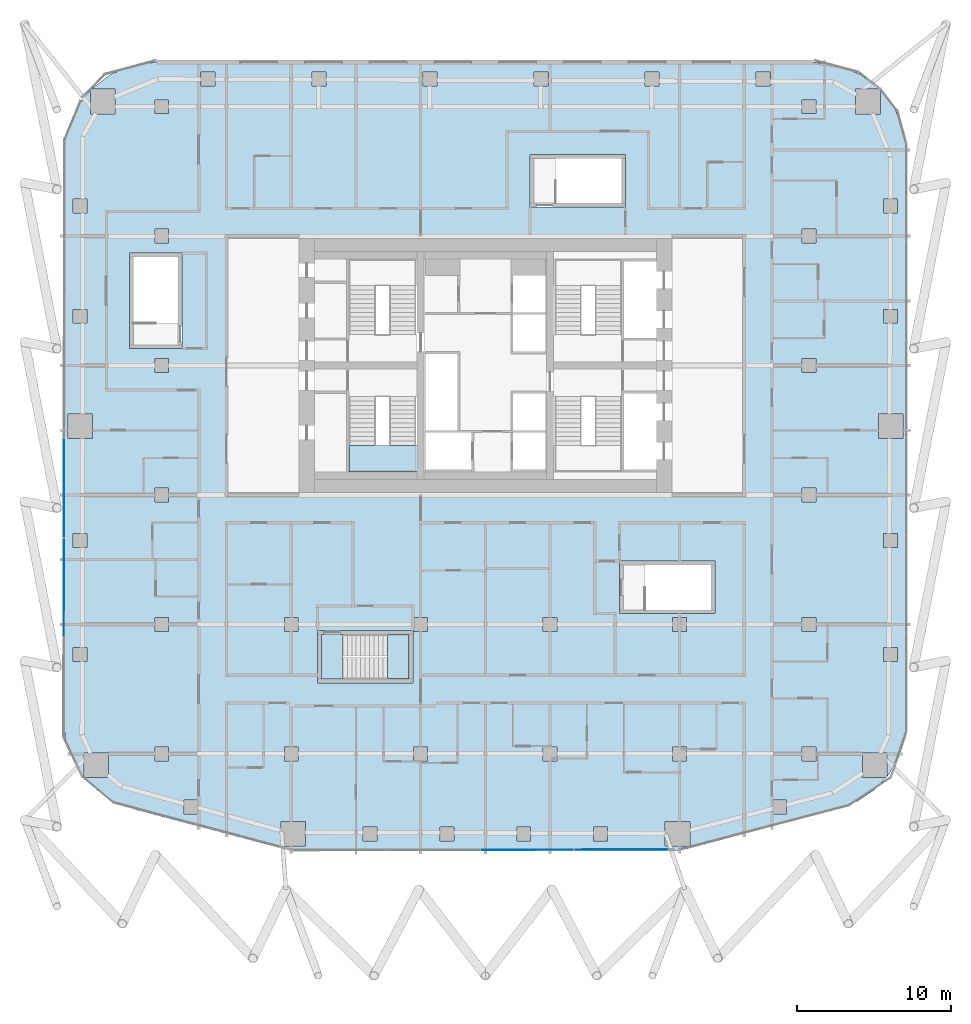
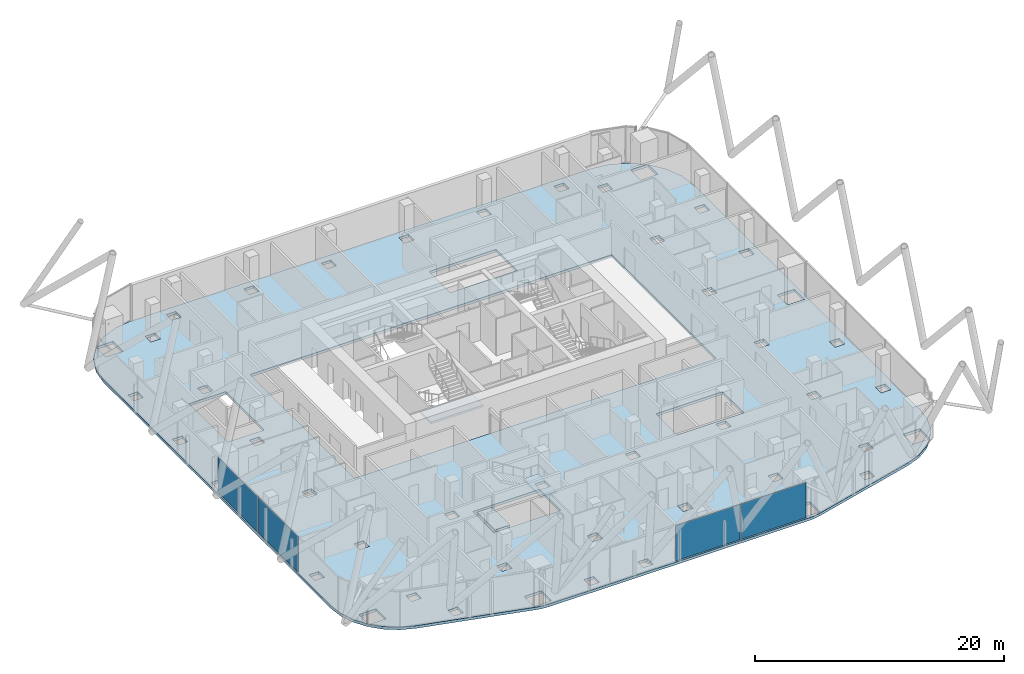
# One storey, part 21 of 34: 4 plates, 4 slabs, 4 elements without a shape of their own.
"""IFC4 building model written with IfcOpenShell, lengths in metres."""

import ifcopenshell
import ifcopenshell.guid

model = None  # the IFC model being written
_history = None  # IfcOwnerHistory: only IFC2X3 demands one
_inside = {}  # id of a spatial element -> (the spatial element, [elements in it])
_under = {}  # id of a project, library or spatial element -> (it, [spatial elements below it])
_declared = {}  # id of a project -> (the project, [libraries it declares])
_typed = {}  # id of a type object -> (the type object, [elements of that type])
_made_of = {}  # id of a material, layer set ... -> (it, [elements and type objects made of it])


def new_model(schema):
    """Start an empty IFC model of exactly this schema.

    Asked for "IFC4X3", IfcOpenShell would pick the latest addendum, in which some entities
    have other attributes; the version numbers below select the first issue.
    IFC2X3 requires an IfcOwnerHistory on every rooted entity: one is made here for all.
    """
    global model, _history
    if schema == "IFC4X3":
        model = ifcopenshell.file(schema_version=(4, 3, 0, 0))
    else:
        model = ifcopenshell.file(schema=schema)
    _inside.clear()
    _under.clear()
    _declared.clear()
    _typed.clear()
    _made_of.clear()
    _history = None
    if model.schema == "IFC2X3":
        org = make("IfcOrganization", Name="unknown")
        user = make(
            "IfcPersonAndOrganization",
            ThePerson=make("IfcPerson", FamilyName="unknown"),
            TheOrganization=org,
        )
        app = make(
            "IfcApplication",
            ApplicationDeveloper=org,
            Version="unknown",
            ApplicationFullName="unknown",
            ApplicationIdentifier="unknown",
        )
        _history = make(
            "IfcOwnerHistory",
            OwningUser=user,
            OwningApplication=app,
            ChangeAction="ADDED",
            CreationDate=0,
        )
    return model


def make(cls, **values):
    """One entity of the class cls with the attributes given. An attribute that is None is left unset."""
    return model.create_entity(
        cls, **{name: value for name, value in values.items() if value is not None}
    )


def rooted(cls, **values):
    """An entity with a GlobalId (a new one), such as an element, a storey or a relation."""
    return make(cls, GlobalId=ifcopenshell.guid.new(), OwnerHistory=_history, **values)


def si_unit(unit_type, name, prefix=None):
    """IfcSIUnit, for example si_unit("LENGTHUNIT", "METRE", prefix="MILLI")."""
    return make("IfcSIUnit", UnitType=unit_type, Prefix=prefix, Name=name)


def assignment(units):
    """IfcUnitAssignment: the units of a project."""
    return None if units is None else make("IfcUnitAssignment", Units=units)


def point(xyz):
    """IfcCartesianPoint."""
    return None if xyz is None else make("IfcCartesianPoint", Coordinates=xyz)


def direction(xyz):
    """IfcDirection."""
    return None if xyz is None else make("IfcDirection", DirectionRatios=xyz)


def frame(location, z_axis=None, x_axis=None):
    """IfcAxis2Placement3D, a coordinate frame: its origin and axes. An axis left out is left unset."""
    return make(
        "IfcAxis2Placement3D",
        Location=point(location),
        Axis=direction(z_axis),
        RefDirection=direction(x_axis),
    )


def frame_2d(location, x_axis=None):
    """IfcAxis2Placement2D, a coordinate frame in the plane: its origin and x axis."""
    return make(
        "IfcAxis2Placement2D", Location=point(location), RefDirection=direction(x_axis)
    )


def origin():
    """The frame at (0, 0, 0) with its axes left unset."""
    return frame((0.0, 0.0, 0.0))


def origin_2d():
    """The frame at (0, 0) in the plane with its x axis left unset."""
    return frame_2d((0.0, 0.0))


def place(relative_to, where):
    """IfcLocalPlacement: puts the frame where relative to a parent placement (None: the world)."""
    return make(
        "IfcLocalPlacement", PlacementRelTo=relative_to, RelativePlacement=where
    )


def context(
    kind, dimensions, precision=None, world=None, true_north=None, identifier=None
):
    """IfcGeometricRepresentationContext, for example the 3D "Model" context."""
    return make(
        "IfcGeometricRepresentationContext",
        ContextIdentifier=identifier,
        ContextType=kind,
        CoordinateSpaceDimension=dimensions,
        Precision=precision,
        WorldCoordinateSystem=world,
        TrueNorth=true_north,
    )


def subcontext(parent, identifier, kind, view, scale=None):
    """IfcGeometricRepresentationSubContext, for example "Body" below "Model"."""
    return make(
        "IfcGeometricRepresentationSubContext",
        ContextIdentifier=identifier,
        ContextType=kind,
        ParentContext=parent,
        TargetScale=scale,
        TargetView=view,
    )


def project(units=None, contexts=None):
    """IfcProject with its units and contexts."""
    return rooted(
        "IfcProject",
        Name="project",
        RepresentationContexts=contexts,
        UnitsInContext=assignment(units),
    )


def spatial(cls, under=None, at=None, **own):
    """A site, building, storey or space (cls), placed at a placement, below another one or the project."""
    s = rooted(cls, ObjectPlacement=at, **own)
    if under is not None:
        _under.setdefault(under.id(), (under, []))[1].append(s)
    return s


def polyline(points):
    """IfcPolyline through the points."""
    return make("IfcPolyline", Points=[point(p) for p in points])


def profile(cls, at=None, kind="AREA", **sizes):
    """A parametric profile (cls). Its sizes go by their IFC names, for example OverallWidth=200.0."""
    return make(cls, ProfileType=kind, Position=at, **sizes)


def rectangle(**sizes):
    """IfcRectangleProfileDef."""
    return profile("IfcRectangleProfileDef", **sizes)


def outline(outer, holes=None, kind="AREA"):
    """IfcArbitraryClosedProfileDef: a profile drawn as a closed curve; with holes, ...WithVoids."""
    if holes is None:
        return make("IfcArbitraryClosedProfileDef", ProfileType=kind, OuterCurve=outer)
    return make(
        "IfcArbitraryProfileDefWithVoids",
        ProfileType=kind,
        OuterCurve=outer,
        InnerCurves=holes,
    )


def extrude(swept, where, along, depth):
    """IfcExtrudedAreaSolid: the profile swept, set in the frame where, extruded along a direction by depth."""
    return make(
        "IfcExtrudedAreaSolid",
        SweptArea=swept,
        Position=where,
        ExtrudedDirection=direction(along),
        Depth=depth,
    )


def shape(context_of_items, identifier, shape_type, items):
    """IfcShapeRepresentation: the items that make up one representation, for example the "Body"."""
    return make(
        "IfcShapeRepresentation",
        ContextOfItems=context_of_items,
        RepresentationIdentifier=identifier,
        RepresentationType=shape_type,
        Items=items,
    )


def material(Name=None, Category=None):
    """IfcMaterial."""
    return make("IfcMaterial", Name=Name, Category=Category)


def layer(
    of_material, thickness, ventilated=None, Name=None, Category=None, Priority=None
):
    """IfcMaterialLayer: one layer of a wall or slab, of a material (None: an air gap)."""
    return make(
        "IfcMaterialLayer",
        Material=of_material,
        LayerThickness=thickness,
        IsVentilated=ventilated,
        Name=Name,
        Category=Category,
        Priority=Priority,
    )


def layer_set(layers, Name=None):
    """IfcMaterialLayerSet."""
    return make("IfcMaterialLayerSet", MaterialLayers=layers, LayerSetName=Name)


def made_of(thing, what):
    """Note that an element or type object is made of a material, layer set ...; save() writes the relation."""
    if what is not None:
        _made_of.setdefault(what.id(), (what, []))[1].append(thing)
    return thing


def type_object(cls, material=None, **own):
    """A type object (cls), such as IfcWallType, which elements share."""
    return made_of(rooted(cls, **own), material)


def element(
    cls,
    number,
    at=None,
    inside=None,
    cuts=None,
    type_object=None,
    material=None,
    context=None,
    identifier="Body",
    shape_type=None,
    held_by="IfcProductDefinitionShape",
    body=None,
    shapes=None,
    **own,
):
    """One element of the class cls, such as IfcWall. Its Tag is "e" and its number.

    at: its placement. inside: the storey or other place that contains it. cuts: it is an
    opening in that element (IfcRelVoidsElement). A single representation is given by context,
    identifier, shape_type and body (its items); several are given by shapes. held_by: the class
    of the entity that holds the representations. save() writes the other relations.
    """
    e = rooted(cls, Tag="e%d" % number, ObjectPlacement=at, **own)
    if body is not None:
        shapes = [shape(context, identifier, shape_type, body)]
    if shapes is not None:
        e.Representation = make(held_by, Representations=shapes)
    if inside is not None:
        _inside.setdefault(inside.id(), (inside, []))[1].append(e)
    if cuts is not None:
        rooted(
            "IfcRelVoidsElement", RelatingBuildingElement=cuts, RelatedOpeningElement=e
        )
    if type_object is not None:
        _typed.setdefault(type_object.id(), (type_object, []))[1].append(e)
    return made_of(e, material)


def aggregate(whole, parts):
    """IfcRelAggregates: a whole, such as a stair, and the parts it consists of."""
    return rooted("IfcRelAggregates", RelatingObject=whole, RelatedObjects=parts)


def save(model, path):
    """Write the relations noted so far, then the file.

    IfcRelAggregates (storeys below a building ...), IfcRelContainedInSpatialStructure (elements
    in a storey), IfcRelDefinesByType, IfcRelAssociatesMaterial and IfcRelDeclares: one each for
    every whole, place, type object, material and project.
    """
    for whole, parts in _under.values():
        aggregate(whole, parts)
    for where, things in _inside.values():
        rooted(
            "IfcRelContainedInSpatialStructure",
            RelatedElements=things,
            RelatingStructure=where,
        )
    for kind, things in _typed.values():
        rooted("IfcRelDefinesByType", RelatedObjects=things, RelatingType=kind)
    for what, things in _made_of.values():
        rooted("IfcRelAssociatesMaterial", RelatedObjects=things, RelatingMaterial=what)
    for by, libraries in _declared.values():
        rooted("IfcRelDeclares", RelatingContext=by, RelatedDefinitions=libraries)
    model.write(path)


model = new_model("IFC4")

# Units and contexts
model_context = context("Model", 3, precision=1e-05, world=origin(), true_north=direction((0.0, 1.0)))
body_context = subcontext(model_context, "Body", "Model", "MODEL_VIEW")
ifc_project = project(units=[si_unit("LENGTHUNIT", "METRE"), si_unit("AREAUNIT", "SQUARE_METRE"), si_unit("VOLUMEUNIT", "CUBIC_METRE"), si_unit("PLANEANGLEUNIT", "RADIAN"), si_unit("MASSUNIT", "GRAM", prefix="KILO")], contexts=[model_context])

# Site, building, storey
site_placement = place(None, origin())
site = spatial("IfcSite", under=ifc_project, at=site_placement, CompositionType="ELEMENT")
building_placement = place(site_placement, origin())
building = spatial("IfcBuilding", under=site, at=building_placement, Name="Marenta Gate Hotel Tower", CompositionType="ELEMENT")
storey_placement = place(building_placement, frame((0.0, 0.0, 166.10009765625)))
storey = spatial("IfcBuildingStorey", under=building, at=storey_placement, Name="L39", CompositionType="ELEMENT", Elevation=166.10009765625)

# Slab
ifc_material_1 = material(Name="Concrete C35", Category="concrete")
ifc_layer_1 = layer(ifc_material_1, 0.260009765625)
ifc_layer_set_1 = layer_set([ifc_layer_1], Name="Concrete C35")
slab_type_1 = type_object("IfcSlabType", Name="Concrete floor slab 260", PredefinedType="FLOOR", material=ifc_layer_set_1)
slab_1_placement = place(storey_placement, frame((0.0, 0.0, -0.260009765625)))
element("IfcSlab", 1, at=slab_1_placement, inside=storey, type_object=slab_type_1, Name="L39-SL-1", PredefinedType="FLOOR", context=body_context, shape_type="SweptSolid", body=[
    extrude(outline(polyline([(-25.213623046875, -19.1640625), (-26.011474609375, -18.3330078125), (-24.462890625, -18.3330078125), (-24.462890625, -16.73291015625), (-26.06298828125, -16.73291015625), (-26.06298828125, -18.279296875), (-26.13525390625, -18.2041015625), (-26.826904296875, -17.06689453125), (-27.25537109375, -15.80712890625), (-27.39990234375, -14.48974609375), (-27.39990234375, 22.006591796875), (-27.193115234375, 23.5791015625), (-26.58349609375, 25.050537109375), (-25.635498046875, 26.285888671875), (-25.635498046875, 24.735595703125), (-24.035400390625, 24.735595703125), (-24.035400390625, 26.33544921875), (-25.585693359375, 26.33544921875), (-24.350341796875, 27.283447265625), (-22.87890625, 27.89306640625), (-21.306640625, 28.10009765625), (21.306640625, 28.10009765625), (22.87890625, 27.89306640625), (24.350341796875, 27.283447265625), (25.585693359375, 26.33544921875), (24.035400390625, 26.33544921875), (24.035400390625, 24.735595703125), (25.635498046875, 24.735595703125), (25.635498046875, 26.285888671875), (26.58349609375, 25.050537109375), (27.193115234375, 23.5791015625), (27.39990234375, 22.006591796875), (27.39990234375, -14.48974609375), (27.25537109375, -15.80712890625), (26.826904296875, -17.06689453125), (26.13525390625, -18.2041015625), (26.06298828125, -18.279296875), (26.06298828125, -16.73291015625), (24.462890625, -16.73291015625), (24.462890625, -18.3330078125), (26.011474609375, -18.3330078125), (25.213623046875, -19.1640625), (24.105712890625, -19.9013671875), (22.86962890625, -20.37890625), (13.126708984375, -22.963623046875), (12.608642578125, -23.065673828125), (12.08154296875, -23.10009765625), (-12.08154296875, -23.10009765625), (-12.608642578125, -23.065673828125), (-13.126708984375, -22.963623046875), (-22.86962890625, -20.37890625), (-24.105712890625, -19.9013671875), (-25.213623046875, -19.1640625)]), holes=[polyline([(-16.800048828125, 0.0), (16.800048828125, 0.0), (16.800048828125, 16.800048828125), (-16.800048828125, 16.800048828125), (-16.800048828125, 0.0)]), polyline([(-18.65673828125, -19.7890625), (-19.556884765625, -19.7890625), (-19.556884765625, -20.689208984375), (-18.65673828125, -20.689208984375), (-18.65673828125, -19.7890625)]), polyline([(-20.550048828125, -17.25), (-20.550048828125, -16.35009765625), (-21.449951171875, -16.35009765625), (-21.449951171875, -17.25), (-20.550048828125, -17.25)]), polyline([(-12.14990234375, -16.35009765625), (-13.050048828125, -16.35009765625), (-13.050048828125, -17.25), (-12.14990234375, -17.25), (-12.14990234375, -16.35009765625)]), polyline([(-25.85009765625, -10.802001953125), (-25.85009765625, -9.90185546875), (-26.75, -9.90185546875), (-26.75, -10.802001953125), (-25.85009765625, -10.802001953125)]), polyline([(-20.550048828125, -8.85009765625), (-20.550048828125, -7.949951171875), (-21.449951171875, -7.949951171875), (-21.449951171875, -8.85009765625), (-20.550048828125, -8.85009765625)]), polyline([(-25.85009765625, -2.5009765625), (-26.75, -2.5009765625), (-26.75, -3.40087890625), (-25.85009765625, -3.40087890625), (-25.85009765625, -2.5009765625)]), polyline([(-20.550048828125, -0.449951171875), (-20.550048828125, 0.449951171875), (-21.449951171875, 0.449951171875), (-21.449951171875, -0.449951171875), (-20.550048828125, -0.449951171875)]), polyline([(-25.5, 3.64990234375), (-25.5, 5.25), (-27.10009765625, 5.25), (-27.10009765625, 3.64990234375), (-25.5, 3.64990234375)]), polyline([(-20.550048828125, 8.85009765625), (-21.449951171875, 8.85009765625), (-21.449951171875, 7.949951171875), (-20.550048828125, 7.949951171875), (-20.550048828125, 8.85009765625)]), polyline([(-25.85009765625, 11.1533203125), (-25.85009765625, 12.05322265625), (-26.75, 12.05322265625), (-26.75, 11.1533203125), (-25.85009765625, 11.1533203125)]), polyline([(-20.550048828125, 16.35009765625), (-20.550048828125, 17.25), (-21.449951171875, 17.25), (-21.449951171875, 16.35009765625), (-20.550048828125, 16.35009765625)]), polyline([(-25.85009765625, 19.206298828125), (-26.75, 19.206298828125), (-26.75, 18.306396484375), (-25.85009765625, 18.306396484375), (-25.85009765625, 19.206298828125)]), polyline([(-20.550048828125, 24.75), (-20.550048828125, 25.64990234375), (-21.449951171875, 25.64990234375), (-21.449951171875, 24.75), (-20.550048828125, 24.75)]), polyline([(-17.556884765625, 27.449951171875), (-18.456787109375, 27.449951171875), (-18.456787109375, 26.550048828125), (-17.556884765625, 26.550048828125), (-17.556884765625, 27.449951171875)]), polyline([(-7.030029296875, -22.449951171875), (-7.030029296875, -21.550048828125), (-7.93017578125, -21.550048828125), (-7.93017578125, -22.449951171875), (-7.030029296875, -22.449951171875)]), polyline([(-2.04345703125, -22.449951171875), (-2.04345703125, -21.550048828125), (-2.943359375, -21.550048828125), (-2.943359375, -22.449951171875), (-2.04345703125, -22.449951171875)]), polyline([(2.943359375, -21.550048828125), (2.04345703125, -21.550048828125), (2.04345703125, -22.449951171875), (2.943359375, -22.449951171875), (2.943359375, -21.550048828125)]), polyline([(7.93017578125, -22.449951171875), (7.93017578125, -21.550048828125), (7.030029296875, -21.550048828125), (7.030029296875, -22.449951171875), (7.93017578125, -22.449951171875)]), polyline([(-11.666259765625, -22.77490234375), (-11.666259765625, -21.1748046875), (-13.266357421875, -21.1748046875), (-13.266357421875, -22.77490234375), (-11.666259765625, -22.77490234375)]), polyline([(13.266357421875, -21.1748046875), (11.666259765625, -21.1748046875), (11.666259765625, -22.77490234375), (13.266357421875, -22.77490234375), (13.266357421875, -21.1748046875)]), polyline([(-3.75, -17.25), (-3.75, -16.35009765625), (-4.64990234375, -16.35009765625), (-4.64990234375, -17.25), (-3.75, -17.25)]), polyline([(4.64990234375, -17.25), (4.64990234375, -16.35009765625), (3.75, -16.35009765625), (3.75, -17.25), (4.64990234375, -17.25)]), polyline([(13.050048828125, -16.35009765625), (12.14990234375, -16.35009765625), (12.14990234375, -17.25), (13.050048828125, -17.25), (13.050048828125, -16.35009765625)]), polyline([(-12.14990234375, -8.85009765625), (-12.14990234375, -7.949951171875), (-13.050048828125, -7.949951171875), (-13.050048828125, -8.85009765625), (-12.14990234375, -8.85009765625)]), polyline([(-3.75, -8.85009765625), (-3.75, -7.949951171875), (-4.64990234375, -7.949951171875), (-4.64990234375, -8.85009765625), (-3.75, -8.85009765625)]), polyline([(4.64990234375, -7.949951171875), (3.75, -7.949951171875), (3.75, -8.85009765625), (4.64990234375, -8.85009765625), (4.64990234375, -7.949951171875)]), polyline([(-10.35400390625, 26.550048828125), (-10.35400390625, 27.449951171875), (-11.254150390625, 27.449951171875), (-11.254150390625, 26.550048828125), (-10.35400390625, 26.550048828125)]), polyline([(-3.1513671875, 26.550048828125), (-3.1513671875, 27.449951171875), (-4.051513671875, 27.449951171875), (-4.051513671875, 26.550048828125), (-3.1513671875, 26.550048828125)]), polyline([(4.051513671875, 27.449951171875), (3.1513671875, 27.449951171875), (3.1513671875, 26.550048828125), (4.051513671875, 26.550048828125), (4.051513671875, 27.449951171875)]), polyline([(11.254150390625, 26.550048828125), (11.254150390625, 27.449951171875), (10.35400390625, 27.449951171875), (10.35400390625, 26.550048828125), (11.254150390625, 26.550048828125)]), polyline([(19.556884765625, -20.689208984375), (19.556884765625, -19.7890625), (18.65673828125, -19.7890625), (18.65673828125, -20.689208984375), (19.556884765625, -20.689208984375)]), polyline([(21.449951171875, -17.25), (21.449951171875, -16.35009765625), (20.550048828125, -16.35009765625), (20.550048828125, -17.25), (21.449951171875, -17.25)]), polyline([(26.75, -10.802001953125), (26.75, -9.90185546875), (25.85009765625, -9.90185546875), (25.85009765625, -10.802001953125), (26.75, -10.802001953125)]), polyline([(13.050048828125, -7.949951171875), (12.14990234375, -7.949951171875), (12.14990234375, -8.85009765625), (13.050048828125, -8.85009765625), (13.050048828125, -7.949951171875)]), polyline([(21.449951171875, -8.85009765625), (21.449951171875, -7.949951171875), (20.550048828125, -7.949951171875), (20.550048828125, -8.85009765625), (21.449951171875, -8.85009765625)]), polyline([(26.75, -3.40087890625), (26.75, -2.5009765625), (25.85009765625, -2.5009765625), (25.85009765625, -3.40087890625), (26.75, -3.40087890625)]), polyline([(21.449951171875, 0.449951171875), (20.550048828125, 0.449951171875), (20.550048828125, -0.449951171875), (21.449951171875, -0.449951171875), (21.449951171875, 0.449951171875)]), polyline([(27.10009765625, 3.64990234375), (27.10009765625, 5.25), (25.5, 5.25), (25.5, 3.64990234375), (27.10009765625, 3.64990234375)]), polyline([(21.449951171875, 7.949951171875), (21.449951171875, 8.85009765625), (20.550048828125, 8.85009765625), (20.550048828125, 7.949951171875), (21.449951171875, 7.949951171875)]), polyline([(26.75, 12.05322265625), (25.85009765625, 12.05322265625), (25.85009765625, 11.1533203125), (26.75, 11.1533203125), (26.75, 12.05322265625)]), polyline([(21.449951171875, 16.35009765625), (21.449951171875, 17.25), (20.550048828125, 17.25), (20.550048828125, 16.35009765625), (21.449951171875, 16.35009765625)]), polyline([(26.75, 18.306396484375), (26.75, 19.206298828125), (25.85009765625, 19.206298828125), (25.85009765625, 18.306396484375), (26.75, 18.306396484375)]), polyline([(21.449951171875, 25.64990234375), (20.550048828125, 25.64990234375), (20.550048828125, 24.75), (21.449951171875, 24.75), (21.449951171875, 25.64990234375)]), polyline([(18.456787109375, 26.550048828125), (18.456787109375, 27.449951171875), (17.556884765625, 27.449951171875), (17.556884765625, 26.550048828125), (18.456787109375, 26.550048828125)]), polyline([(-10.89990234375, -12.199951171875), (-4.699951171875, -12.199951171875), (-4.699951171875, -8.800048828125), (-10.89990234375, -8.800048828125), (-10.89990234375, -12.199951171875)]), polyline([(8.699951171875, -7.699951171875), (14.89990234375, -7.699951171875), (14.89990234375, -4.300048828125), (8.699951171875, -4.300048828125), (8.699951171875, -7.699951171875)]), polyline([(-23.10009765625, 9.5), (-19.699951171875, 9.5), (-19.699951171875, 15.699951171875), (-23.10009765625, 15.699951171875), (-23.10009765625, 9.5)]), polyline([(2.89990234375, 18.699951171875), (9.10009765625, 18.699951171875), (9.10009765625, 22.10009765625), (2.89990234375, 22.10009765625), (2.89990234375, 18.699951171875)])]), origin(), (0.0, 0.0, 1.0), 0.260009765625),
])

# Stair, slab
ifc_material_2 = material(Name="Concrete C40", Category="concrete")
stair_type_1 = type_object("IfcStairType", Name="Core exit stair 1700 wide", PredefinedType="HALF_TURN_STAIR", material=ifc_material_2)
stair_1_placement = place(storey_placement, origin())
stair_1 = element("IfcStair", 2, at=stair_1_placement, inside=storey, type_object=stair_type_1, Name="Exit stair 1", PredefinedType="HALF_TURN_STAIR")
ifc_material_3 = material(Name="Concrete C40", Category="concrete")
ifc_layer_2 = layer(ifc_material_3, 0.199951171875)
ifc_layer_set_2 = layer_set([ifc_layer_2], Name="Concrete C40")
slab_type_2 = type_object("IfcSlabType", Name="Core stair landing 200", PredefinedType="LANDING", material=ifc_layer_set_2)
slab_2_placement = place(storey_placement, frame((0.0, 0.0, 1.599853515625)))
slab_2 = element("IfcSlab", 3, at=slab_2_placement, type_object=slab_type_2, Name="SL-200 ST1 landing 1", PredefinedType="LANDING", context=body_context, shape_type="SweptSolid", body=[
    extrude(outline(polyline([(-8.85009765625, 1.5), (-3.97509765625, 1.5), (-3.97509765625, 3.2099609375), (-8.85009765625, 3.2099609375), (-8.85009765625, 1.5)])), origin(), (0.0, 0.0, 1.0), 0.199951171875),
])
aggregate(stair_1, [slab_2])

# Curtain wall, plates
ifc_material_4 = material(Name="Tinted insulated glass in bronze anodised frame", Category="glass")
ifc_layer_3 = layer(ifc_material_4, 0.1201171875)
ifc_layer_set_3 = layer_set([ifc_layer_3], Name="Tinted insulated glass in bronze anodised frame")
curtain_wall_type = type_object("IfcCurtainWallType", Name="Tower unitised curtain wall CW1", PredefinedType="NOTDEFINED", material=ifc_layer_set_3)
curtain_wall_1_placement = place(storey_placement, origin())
curtain_wall_1 = element("IfcCurtainWall", 4, at=curtain_wall_1_placement, inside=storey, type_object=curtain_wall_type, Name="CW1 run G04", PredefinedType="NOTDEFINED")
ifc_material_5 = material(Name="Tinted insulated glass", Category="glass")
ifc_layer_4 = layer(ifc_material_5, 0.028076171875)
ifc_layer_set_4 = layer_set([ifc_layer_4], Name="Tinted insulated glass")
plate_type = type_object("IfcPlateType", Name="Glass panel CW1 28 mm tinted insulated unit", PredefinedType="CURTAIN_PANEL", material=ifc_layer_set_4)
plate_1_placement = place(storey_placement, frame((-27.34765625, 0.456298828125, 0.059814453125), z_axis=(0.0, 0.0, 1.0), x_axis=(-0.001566045546, -0.99999877375, 0.0)))
plate_1 = element("IfcPlate", 5, at=plate_1_placement, type_object=plate_type, Name="CW1 panel 4.1", PredefinedType="CURTAIN_PANEL", context=body_context, shape_type="SweptSolid", body=[
    extrude(rectangle(XDim=6.39990234375, YDim=0.028076171875, at=origin_2d()), origin(), (0.0, 0.0, 1.0), 3.47998046875),
])
plate_2_placement = place(storey_placement, frame((-27.35791015625, -6.00390625, 0.059814453125), z_axis=(0.0, 0.0, 1.0), x_axis=(-0.001566045546, -0.99999877375, 0.0)))
plate_2 = element("IfcPlate", 6, at=plate_2_placement, type_object=plate_type, Name="CW1 panel 5.1", PredefinedType="CURTAIN_PANEL", context=body_context, shape_type="SweptSolid", body=[
    extrude(rectangle(XDim=6.39990234375, YDim=0.028076171875, at=origin_2d()), origin(), (0.0, 0.0, 1.0), 3.47998046875),
])
aggregate(curtain_wall_1, [plate_1, plate_2])

curtain_wall_2_placement = place(storey_placement, origin())
curtain_wall_2 = element("IfcCurtainWall", 7, at=curtain_wall_2_placement, inside=storey, type_object=curtain_wall_type, Name="CW1 run G12", PredefinedType="NOTDEFINED")
plate_3_placement = place(storey_placement, frame((2.69873046875, -23.02685546875, 0.059814453125), z_axis=(0.0, 0.0, 1.0), x_axis=(0.999999068791, 0.00136470383, 0.0)))
plate_3 = element("IfcPlate", 8, at=plate_3_placement, type_object=plate_type, Name="CW1 panel 3.1", PredefinedType="CURTAIN_PANEL", context=body_context, shape_type="SweptSolid", body=[
    extrude(rectangle(XDim=6.02197265625, YDim=0.028076171875, at=origin_2d()), origin(), (0.0, 0.0, 1.0), 3.47998046875),
])
plate_4_placement = place(storey_placement, frame((8.795654296875, -23.018310546875, 0.059814453125), z_axis=(0.0, 0.0, 1.0), x_axis=(0.999999068791, 0.00136470383, 0.0)))
plate_4 = element("IfcPlate", 9, at=plate_4_placement, type_object=plate_type, Name="CW1 panel 4.1", PredefinedType="CURTAIN_PANEL", context=body_context, shape_type="SweptSolid", body=[
    extrude(rectangle(XDim=6.052001953125, YDim=0.028076171875, at=origin_2d()), origin(), (0.0, 0.0, 1.0), 3.47998046875),
])
aggregate(curtain_wall_2, [plate_3, plate_4])

# Stair, slab
ifc_material_6 = material(Name="Concrete C40", Category="concrete")
stair_type_2 = type_object("IfcStairType", Name="Remote exit stair 1400 wide", PredefinedType="HALF_TURN_STAIR", material=ifc_material_6)
stair_2_placement = place(storey_placement, origin())
stair_2 = element("IfcStair", 10, at=stair_2_placement, inside=storey, type_object=stair_type_2, Name="Exit stair RS-Z2-1", PredefinedType="HALF_TURN_STAIR")
ifc_material_7 = material(Name="Concrete C40", Category="concrete")
ifc_layer_5 = layer(ifc_material_7, 0.199951171875)
ifc_layer_set_5 = layer_set([ifc_layer_5], Name="Concrete C40")
slab_type_3 = type_object("IfcSlabType", Name="Remote stair landing 200", PredefinedType="LANDING", material=ifc_layer_set_5)
slab_3_placement = place(storey_placement, frame((0.0, 0.0, 1.599853515625)))
slab_3 = element("IfcSlab", 11, at=slab_3_placement, type_object=slab_type_3, Name="RL-200 RS-Z2-1 landing 1", PredefinedType="LANDING", context=body_context, shape_type="SweptSolid", body=[
    extrude(outline(polyline([(-6.35009765625, -11.949951171875), (-4.949951171875, -11.949951171875), (-4.949951171875, -9.050048828125), (-6.35009765625, -9.050048828125), (-6.35009765625, -11.949951171875)])), origin(), (0.0, 0.0, 1.0), 0.199951171875),
])
aggregate(stair_2, [slab_3])

# Slab
ifc_material_8 = material(Name="Concrete C40", Category="concrete")
ifc_layer_6 = layer(ifc_material_8, 0.300048828125)
ifc_layer_set_6 = layer_set([ifc_layer_6], Name="Concrete C40")
slab_type_4 = type_object("IfcSlabType", Name="Stair floor landing slab 300", PredefinedType="FLOOR", material=ifc_layer_set_6)
slab_4_placement = place(storey_placement, frame((0.0, 0.0, -0.300048828125)))
element("IfcSlab", 12, at=slab_4_placement, inside=storey, type_object=slab_type_4, Name="L39-RS-Z2-1-CL", PredefinedType="FLOOR", context=body_context, shape_type="SweptSolid", body=[
    extrude(outline(polyline([(-9.25, -11.949951171875), (-9.25, -9.050048828125), (-10.64990234375, -9.050048828125), (-10.64990234375, -11.949951171875), (-9.25, -11.949951171875)])), origin(), (0.0, 0.0, 1.0), 0.300048828125),
])

save(model, "model.ifc")
